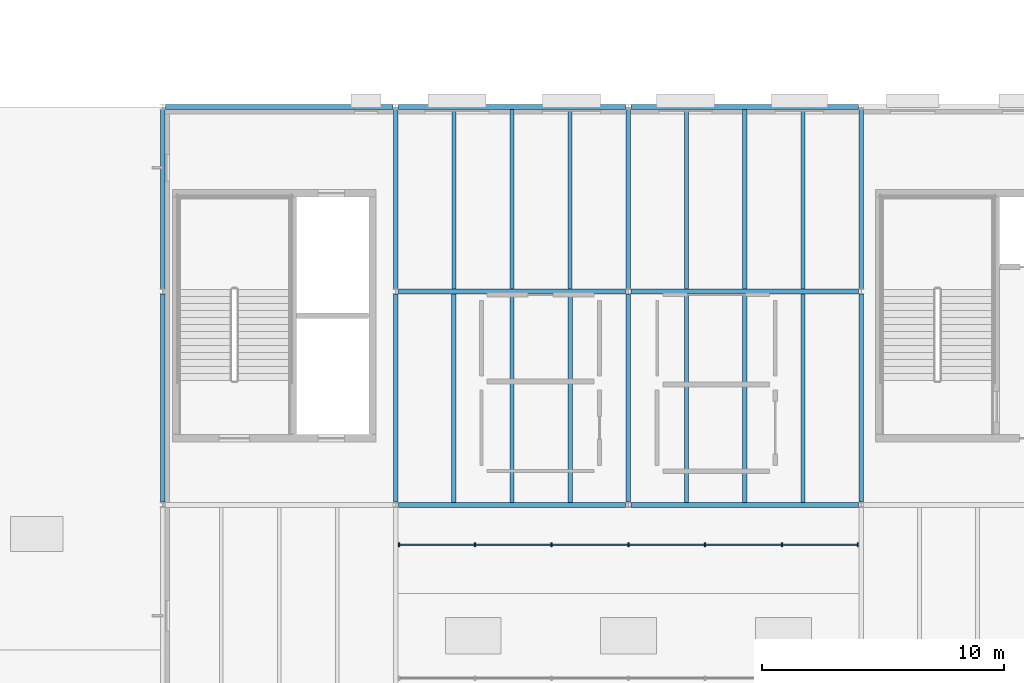
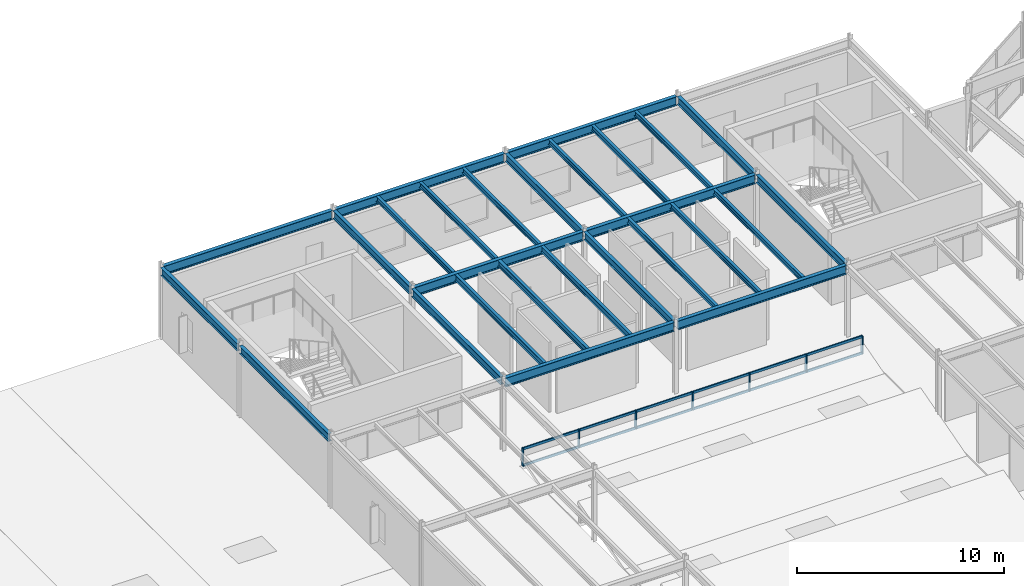
# One storey, part 12 of 50: 27 beams, 9 members, 1 element without a shape of its own.
"""IFC4 building model written with IfcOpenShell, lengths in metres."""

from ifc_helpers import new_model, si_unit, direction, frame, origin, origin_2d, place, context, subcontext, project, spatial, rectangle, i_section, extrude, material, material_profile, profile_set, type_object, element, aggregate, save


model = new_model("IFC4")

# Units and contexts
model_context = context("Model", 3, precision=1e-05, world=origin(), true_north=direction((0.0, 1.0)))
body_context = subcontext(model_context, "Body", "Model", "MODEL_VIEW")
ifc_project = project(units=[si_unit("LENGTHUNIT", "METRE"), si_unit("AREAUNIT", "SQUARE_METRE"), si_unit("VOLUMEUNIT", "CUBIC_METRE"), si_unit("PLANEANGLEUNIT", "RADIAN"), si_unit("MASSUNIT", "GRAM", prefix="KILO")], contexts=[model_context])

# Site, building, storey
site_placement = place(None, origin())
site = spatial("IfcSite", under=ifc_project, at=site_placement, CompositionType="ELEMENT")
building_placement = place(site_placement, origin())
building = spatial("IfcBuilding", under=site, at=building_placement, Name="Sarnbrook Museum", CompositionType="ELEMENT")
storey_placement = place(building_placement, frame((0.0, 0.0, 28.10009765625)))
storey = spatial("IfcBuildingStorey", under=building, at=storey_placement, Name="L05", CompositionType="ELEMENT", Elevation=28.10009765625)

# Beams
ifc_material_1 = material(Name="Structural Steel Grade 300PLUS (AS/NZS 3679.1, fy = 280 MPa for 17 < t <= 40 mm, 300 MPa for t <= 17 mm)", Category="steel")
ifc_material_profile_1 = material_profile(ifc_material_1, i_section(OverallWidth=0.18994140625, OverallDepth=0.45703125, WebThickness=0.009033203125, FlangeThickness=0.014404296875, FilletRadius=0.011474609375, at=origin_2d()), Name="460UB74.6")
ifc_profile_set_1 = profile_set([ifc_material_profile_1], Name="Structural Steel Grade 300PLUS (AS/NZS 3679.1, fy = 280 MPa for 17 < t <= 40 mm, 300 MPa for t <= 17 mm)")
beam_type_1 = type_object("IfcBeamType", Name="BM-UB460", PredefinedType="BEAM", material=ifc_profile_set_1)
beam_1_placement = place(storey_placement, frame((80.800048828125, 92.10498046875, 4.021484375), z_axis=(0.0, 1.0, 0.0), x_axis=(-1.0, 0.0, 0.0)))
element("IfcBeam", 1, at=beam_1_placement, inside=storey, type_object=beam_type_1, Name="Girder 9:L-M L05", PredefinedType="BEAM", context=body_context, shape_type="SweptSolid", body=[
    extrude(i_section(OverallWidth=0.18994140625, OverallDepth=0.45703125, WebThickness=0.009033203125, FlangeThickness=0.014404296875, FilletRadius=0.011474609375, at=origin_2d()), origin(), (0.0, 0.0, 1.0), 8.590087890625),
])
beam_2_placement = place(storey_placement, frame((80.800048828125, 100.905029296875, 4.021484375), z_axis=(0.0, 1.0, 0.0), x_axis=(-1.0, 0.0, 0.0)))
element("IfcBeam", 2, at=beam_2_placement, inside=storey, type_object=beam_type_1, Name="Girder 9:M-N L05", PredefinedType="BEAM", context=body_context, shape_type="SweptSolid", body=[
    extrude(i_section(OverallWidth=0.18994140625, OverallDepth=0.45703125, WebThickness=0.009033203125, FlangeThickness=0.014404296875, FilletRadius=0.011474609375, at=origin_2d()), origin(), (0.0, 0.0, 1.0), 7.389892578125),
])
beam_3_placement = place(storey_placement, frame((90.39990234375, 92.10498046875, 4.021484375), z_axis=(0.0, 1.0, 0.0), x_axis=(-1.0, 0.0, 0.0)))
element("IfcBeam", 3, at=beam_3_placement, inside=storey, type_object=beam_type_1, Name="Girder 10:L-M L05", PredefinedType="BEAM", context=body_context, shape_type="SweptSolid", body=[
    extrude(i_section(OverallWidth=0.18994140625, OverallDepth=0.45703125, WebThickness=0.009033203125, FlangeThickness=0.014404296875, FilletRadius=0.011474609375, at=origin_2d()), origin(), (0.0, 0.0, 1.0), 8.590087890625),
])
beam_4_placement = place(storey_placement, frame((90.39990234375, 100.905029296875, 4.021484375), z_axis=(0.0, 1.0, 0.0), x_axis=(-1.0, 0.0, 0.0)))
element("IfcBeam", 4, at=beam_4_placement, inside=storey, type_object=beam_type_1, Name="Girder 10:M-N L05", PredefinedType="BEAM", context=body_context, shape_type="SweptSolid", body=[
    extrude(i_section(OverallWidth=0.18994140625, OverallDepth=0.45703125, WebThickness=0.009033203125, FlangeThickness=0.014404296875, FilletRadius=0.011474609375, at=origin_2d()), origin(), (0.0, 0.0, 1.0), 7.389892578125),
])
beam_5_placement = place(storey_placement, frame((100.0, 92.10498046875, 4.021484375), z_axis=(0.0, 1.0, 0.0), x_axis=(-1.0, 0.0, 0.0)))
element("IfcBeam", 5, at=beam_5_placement, inside=storey, type_object=beam_type_1, Name="Girder 11:L-M L05", PredefinedType="BEAM", context=body_context, shape_type="SweptSolid", body=[
    extrude(i_section(OverallWidth=0.18994140625, OverallDepth=0.45703125, WebThickness=0.009033203125, FlangeThickness=0.014404296875, FilletRadius=0.011474609375, at=origin_2d()), origin(), (0.0, 0.0, 1.0), 8.590087890625),
])
beam_6_placement = place(storey_placement, frame((100.0, 100.905029296875, 4.021484375), z_axis=(0.0, 1.0, 0.0), x_axis=(-1.0, 0.0, 0.0)))
element("IfcBeam", 6, at=beam_6_placement, inside=storey, type_object=beam_type_1, Name="Girder 11:M-N L05", PredefinedType="BEAM", context=body_context, shape_type="SweptSolid", body=[
    extrude(i_section(OverallWidth=0.18994140625, OverallDepth=0.45703125, WebThickness=0.009033203125, FlangeThickness=0.014404296875, FilletRadius=0.011474609375, at=origin_2d()), origin(), (0.0, 0.0, 1.0), 7.389892578125),
])
beam_7_placement = place(storey_placement, frame((109.60009765625, 92.10498046875, 4.021484375), z_axis=(0.0, 1.0, 0.0), x_axis=(-1.0, 0.0, 0.0)))
element("IfcBeam", 7, at=beam_7_placement, inside=storey, type_object=beam_type_1, Name="Girder 12:L-M L05", PredefinedType="BEAM", context=body_context, shape_type="SweptSolid", body=[
    extrude(i_section(OverallWidth=0.18994140625, OverallDepth=0.45703125, WebThickness=0.009033203125, FlangeThickness=0.014404296875, FilletRadius=0.011474609375, at=origin_2d()), origin(), (0.0, 0.0, 1.0), 8.590087890625),
])
beam_8_placement = place(storey_placement, frame((109.60009765625, 100.905029296875, 4.021484375), z_axis=(0.0, 1.0, 0.0), x_axis=(-1.0, 0.0, 0.0)))
element("IfcBeam", 8, at=beam_8_placement, inside=storey, type_object=beam_type_1, Name="Girder 12:M-N L05", PredefinedType="BEAM", context=body_context, shape_type="SweptSolid", body=[
    extrude(i_section(OverallWidth=0.18994140625, OverallDepth=0.45703125, WebThickness=0.009033203125, FlangeThickness=0.014404296875, FilletRadius=0.011474609375, at=origin_2d()), origin(), (0.0, 0.0, 1.0), 7.389892578125),
])
ifc_material_profile_2 = material_profile(ifc_material_1, i_section(OverallWidth=0.208984375, OverallDepth=0.532958984375, WebThickness=0.01025390625, FlangeThickness=0.015625, FilletRadius=0.013916015625, at=origin_2d()), Name="530UB92.4")
ifc_profile_set_2 = profile_set([ifc_material_profile_2], Name="Structural Steel Grade 300PLUS (AS/NZS 3679.1, fy = 280 MPa for 17 < t <= 40 mm, 300 MPa for t <= 17 mm)")
beam_type_2 = type_object("IfcBeamType", Name="BM-UB530", PredefinedType="BEAM", material=ifc_profile_set_2)
for number, where, z_axis, x_axis, name in (
    (9, (90.50244140625, 92.0, 3.9833984375), (1.0, 0.0, 0.0), (0.0, 1.0, 0.0), "Girder L:10-11 L05"),
    (10, (100.1025390625, 92.0, 3.9833984375), (1.0, 0.0, 0.0), (0.0, 1.0, 0.0), "Girder L:11-12 L05"),
    (11, (90.50244140625, 100.800048828125, 3.9833984375), (1.0, 0.0, 0.0), (0.0, 1.0, 0.0), "Girder M:10-11 L05"),
    (12, (100.1025390625, 100.800048828125, 3.9833984375), (1.0, 0.0, 0.0), (0.0, 1.0, 0.0), "Girder M:11-12 L05"),
    (13, (80.902587890625, 108.39990234375, 3.9833984375), (1.0, 0.0, 0.0), (0.0, 1.0, 0.0), "Girder N:9-10 L05"),
    (14, (90.50244140625, 108.39990234375, 3.9833984375), (1.0, 0.0, 0.0), (0.0, 1.0, 0.0), "Girder N:10-11 L05"),
    (15, (100.1025390625, 108.39990234375, 3.9833984375), (1.0, 0.0, 0.0), (0.0, 1.0, 0.0), "Girder N:11-12 L05"),
):
    element("IfcBeam", number, at=place(storey_placement, frame(where, z_axis=z_axis, x_axis=x_axis)), inside=storey, type_object=beam_type_2, Name=name, PredefinedType="BEAM", context=body_context, shape_type="SweptSolid", body=[
        extrude(i_section(OverallWidth=0.208984375, OverallDepth=0.532958984375, WebThickness=0.01025390625, FlangeThickness=0.015625, FilletRadius=0.013916015625, at=origin_2d()), origin(), (0.0, 0.0, 1.0), 9.39501953125),
    ])

# Curtain wall, members
ifc_material_2 = material(Name="Thermally Broken Anodised Aluminium 6063-T6", Category="aluminium")
curtain_wall_type = type_object("IfcCurtainWallType", Name="CurtainWall_Sawtooth", PredefinedType="NOTDEFINED", material=ifc_material_2)
curtain_wall_placement = place(storey_placement, origin())
curtain_wall = element("IfcCurtainWall", 16, at=curtain_wall_placement, inside=storey, type_object=curtain_wall_type, Name="Atrium Sawtooth North-Light Clerestory 4", PredefinedType="NOTDEFINED")
ifc_material_profile_3 = material_profile(ifc_material_2, rectangle(XDim=0.06005859375, YDim=0.159912109375, at=origin_2d()), Name="ALU MULLION 60x160")
ifc_profile_set_3 = profile_set([ifc_material_profile_3], Name="Thermally Broken Anodised Aluminium 6063-T6")
member_type_1 = type_object("IfcMemberType", Name="CW_Mullion_150x65", PredefinedType="MULLION", material=ifc_profile_set_3)
member_1_placement = place(storey_placement, frame((90.5400390625, 90.35009765625, 0.0), z_axis=(0.0, 0.0, 1.0), x_axis=(1.0, 0.0, 0.0)))
member_1 = element("IfcMember", 17, at=member_1_placement, type_object=member_type_1, Name="Atrium Sawtooth North-Light Clerestory 4 Mullion 1", PredefinedType="MULLION", context=body_context, shape_type="SweptSolid", body=[
    extrude(rectangle(XDim=0.06005859375, YDim=0.159912109375, at=origin_2d()), origin(), (0.0, 0.0, 1.0), 1.0498046875),
])
member_2_placement = place(storey_placement, frame((93.666748046875, 90.35009765625, 0.0), z_axis=(0.0, 0.0, 1.0), x_axis=(1.0, 0.0, 0.0)))
member_2 = element("IfcMember", 18, at=member_2_placement, type_object=member_type_1, Name="Atrium Sawtooth North-Light Clerestory 4 Mullion 2", PredefinedType="MULLION", context=body_context, shape_type="SweptSolid", body=[
    extrude(rectangle(XDim=0.06005859375, YDim=0.159912109375, at=origin_2d()), origin(), (0.0, 0.0, 1.0), 1.0498046875),
])
member_3_placement = place(storey_placement, frame((96.833251953125, 90.35009765625, 0.0), z_axis=(0.0, 0.0, 1.0), x_axis=(1.0, 0.0, 0.0)))
member_3 = element("IfcMember", 19, at=member_3_placement, type_object=member_type_1, Name="Atrium Sawtooth North-Light Clerestory 4 Mullion 3", PredefinedType="MULLION", context=body_context, shape_type="SweptSolid", body=[
    extrude(rectangle(XDim=0.06005859375, YDim=0.159912109375, at=origin_2d()), origin(), (0.0, 0.0, 1.0), 1.0498046875),
])
member_4_placement = place(storey_placement, frame((100.0, 90.35009765625, 0.0), z_axis=(0.0, 0.0, 1.0), x_axis=(1.0, 0.0, 0.0)))
member_4 = element("IfcMember", 20, at=member_4_placement, type_object=member_type_1, Name="Atrium Sawtooth North-Light Clerestory 4 Mullion 4", PredefinedType="MULLION", context=body_context, shape_type="SweptSolid", body=[
    extrude(rectangle(XDim=0.06005859375, YDim=0.159912109375, at=origin_2d()), origin(), (0.0, 0.0, 1.0), 1.0498046875),
])
member_5_placement = place(storey_placement, frame((103.166748046875, 90.35009765625, 0.0), z_axis=(0.0, 0.0, 1.0), x_axis=(1.0, 0.0, 0.0)))
member_5 = element("IfcMember", 21, at=member_5_placement, type_object=member_type_1, Name="Atrium Sawtooth North-Light Clerestory 4 Mullion 5", PredefinedType="MULLION", context=body_context, shape_type="SweptSolid", body=[
    extrude(rectangle(XDim=0.06005859375, YDim=0.159912109375, at=origin_2d()), origin(), (0.0, 0.0, 1.0), 1.0498046875),
])
member_6_placement = place(storey_placement, frame((106.333251953125, 90.35009765625, 0.0), z_axis=(0.0, 0.0, 1.0), x_axis=(1.0, 0.0, 0.0)))
member_6 = element("IfcMember", 22, at=member_6_placement, type_object=member_type_1, Name="Atrium Sawtooth North-Light Clerestory 4 Mullion 6", PredefinedType="MULLION", context=body_context, shape_type="SweptSolid", body=[
    extrude(rectangle(XDim=0.06005859375, YDim=0.159912109375, at=origin_2d()), origin(), (0.0, 0.0, 1.0), 1.0498046875),
])
member_7_placement = place(storey_placement, frame((109.4599609375, 90.35009765625, 0.0), z_axis=(0.0, 0.0, 1.0), x_axis=(1.0, 0.0, 0.0)))
member_7 = element("IfcMember", 23, at=member_7_placement, type_object=member_type_1, Name="Atrium Sawtooth North-Light Clerestory 4 Mullion 7", PredefinedType="MULLION", context=body_context, shape_type="SweptSolid", body=[
    extrude(rectangle(XDim=0.06005859375, YDim=0.159912109375, at=origin_2d()), origin(), (0.0, 0.0, 1.0), 1.0498046875),
])
ifc_material_profile_4 = material_profile(ifc_material_2, rectangle(XDim=0.06494140625, YDim=0.139892578125, at=origin_2d()), Name="ALU TRANSOM 65x140")
ifc_profile_set_4 = profile_set([ifc_material_profile_4], Name="Thermally Broken Anodised Aluminium 6063-T6")
member_type_2 = type_object("IfcMemberType", Name="CW_Transom_150x65", PredefinedType="USERDEFINED", material=ifc_profile_set_4)
member_8_placement = place(storey_placement, frame((90.550048828125, 90.35009765625, 0.039794921875), z_axis=(1.0, 0.0, 0.0), x_axis=(0.0, 1.0, 0.0)))
member_8 = element("IfcMember", 24, at=member_8_placement, type_object=member_type_2, Name="Atrium Sawtooth North-Light Clerestory 4 Transom 1", ObjectType="TRANSOM", PredefinedType="USERDEFINED", context=body_context, shape_type="SweptSolid", body=[
    extrude(rectangle(XDim=0.06494140625, YDim=0.139892578125, at=origin_2d()), origin(), (0.0, 0.0, 1.0), 18.89990234375),
])
member_9_placement = place(storey_placement, frame((90.550048828125, 90.35009765625, 1.010009765625), z_axis=(1.0, 0.0, 0.0), x_axis=(0.0, 1.0, 0.0)))
member_9 = element("IfcMember", 25, at=member_9_placement, type_object=member_type_2, Name="Atrium Sawtooth North-Light Clerestory 4 Transom 2", ObjectType="TRANSOM", PredefinedType="USERDEFINED", context=body_context, shape_type="SweptSolid", body=[
    extrude(rectangle(XDim=0.06494140625, YDim=0.139892578125, at=origin_2d()), origin(), (0.0, 0.0, 1.0), 18.89990234375),
])
aggregate(curtain_wall, [member_1, member_2, member_3, member_4, member_5, member_6, member_7, member_8, member_9])

# Beams
ifc_material_profile_5 = material_profile(ifc_material_1, i_section(OverallWidth=0.1650390625, OverallDepth=0.303955078125, WebThickness=0.006103515625, FlangeThickness=0.01025390625, FilletRadius=0.011474609375, at=origin_2d()), Name="310UB40.4")
ifc_profile_set_5 = profile_set([ifc_material_profile_5], Name="Structural Steel Grade 300PLUS (AS/NZS 3679.1, fy = 280 MPa for 17 < t <= 40 mm, 300 MPa for t <= 17 mm)")
beam_type_3 = type_object("IfcBeamType", Name="JS-UB310", PredefinedType="JOIST", material=ifc_profile_set_5)
for number, where, z_axis, x_axis, name in (
    (26, (102.39990234375, 100.904541015625, 4.097900390625), (0.0, 1.0, 0.0), (-1.0, 0.0, 0.0), "Composite Floor Joist 11M-1 L05"),
    (27, (104.800048828125, 100.904541015625, 4.097900390625), (0.0, 1.0, 0.0), (-1.0, 0.0, 0.0), "Composite Floor Joist 11M-2 L05"),
    (28, (107.199951171875, 100.904541015625, 4.097900390625), (0.0, 1.0, 0.0), (-1.0, 0.0, 0.0), "Composite Floor Joist 11M-3 L05"),
):
    element("IfcBeam", number, at=place(storey_placement, frame(where, z_axis=z_axis, x_axis=x_axis)), inside=storey, type_object=beam_type_3, Name=name, PredefinedType="JOIST", context=body_context, shape_type="SweptSolid", body=[
        extrude(i_section(OverallWidth=0.1650390625, OverallDepth=0.303955078125, WebThickness=0.006103515625, FlangeThickness=0.01025390625, FilletRadius=0.011474609375, at=origin_2d()), origin(), (0.0, 0.0, 1.0), 7.390869140625),
    ])
ifc_material_profile_6 = material_profile(ifc_material_1, i_section(OverallWidth=0.166015625, OverallDepth=0.306884765625, WebThickness=0.006591796875, FlangeThickness=0.01171875, FilletRadius=0.011474609375, at=origin_2d()), Name="310UB46.2")
ifc_profile_set_6 = profile_set([ifc_material_profile_6], Name="Structural Steel Grade 300PLUS (AS/NZS 3679.1, fy = 280 MPa for 17 < t <= 40 mm, 300 MPa for t <= 17 mm)")
beam_type_4 = type_object("IfcBeamType", Name="JS-UB310H", PredefinedType="JOIST", material=ifc_profile_set_6)
for number, where, z_axis, x_axis, name in (
    (29, (92.800048828125, 100.904541015625, 4.096435546875), (0.0, 1.0, 0.0), (-1.0, 0.0, 0.0), "Composite Floor Joist 10M-1 L05"),
    (30, (95.199951171875, 100.904541015625, 4.096435546875), (0.0, 1.0, 0.0), (-1.0, 0.0, 0.0), "Composite Floor Joist 10M-2 L05"),
    (31, (97.60009765625, 100.904541015625, 4.096435546875), (0.0, 1.0, 0.0), (-1.0, 0.0, 0.0), "Composite Floor Joist 10M-3 L05"),
):
    element("IfcBeam", number, at=place(storey_placement, frame(where, z_axis=z_axis, x_axis=x_axis)), inside=storey, type_object=beam_type_4, Name=name, PredefinedType="JOIST", context=body_context, shape_type="SweptSolid", body=[
        extrude(i_section(OverallWidth=0.166015625, OverallDepth=0.306884765625, WebThickness=0.006591796875, FlangeThickness=0.01171875, FilletRadius=0.011474609375, at=origin_2d()), origin(), (0.0, 0.0, 1.0), 7.390869140625),
    ])
for number, where, z_axis, x_axis, name in (
    (32, (102.39990234375, 92.1044921875, 4.096435546875), (0.0, 1.0, 0.0), (-1.0, 0.0, 0.0), "Composite Floor Joist 11L-1 L05"),
    (33, (104.800048828125, 92.1044921875, 4.096435546875), (0.0, 1.0, 0.0), (-1.0, 0.0, 0.0), "Composite Floor Joist 11L-2 L05"),
    (34, (107.199951171875, 92.1044921875, 4.096435546875), (0.0, 1.0, 0.0), (-1.0, 0.0, 0.0), "Composite Floor Joist 11L-3 L05"),
):
    element("IfcBeam", number, at=place(storey_placement, frame(where, z_axis=z_axis, x_axis=x_axis)), inside=storey, type_object=beam_type_4, Name=name, PredefinedType="JOIST", context=body_context, shape_type="SweptSolid", body=[
        extrude(i_section(OverallWidth=0.166015625, OverallDepth=0.306884765625, WebThickness=0.006591796875, FlangeThickness=0.01171875, FilletRadius=0.011474609375, at=origin_2d()), origin(), (0.0, 0.0, 1.0), 8.591064453125),
    ])
ifc_material_profile_7 = material_profile(ifc_material_1, i_section(OverallWidth=0.1708984375, OverallDepth=0.35595703125, WebThickness=0.00732421875, FlangeThickness=0.011474609375, FilletRadius=0.011474609375, at=origin_2d()), Name="360UB50.7")
ifc_profile_set_7 = profile_set([ifc_material_profile_7], Name="Structural Steel Grade 300PLUS (AS/NZS 3679.1, fy = 280 MPa for 17 < t <= 40 mm, 300 MPa for t <= 17 mm)")
beam_type_5 = type_object("IfcBeamType", Name="JS-UB360", PredefinedType="JOIST", material=ifc_profile_set_7)
for number, where, z_axis, x_axis, name in (
    (35, (92.800048828125, 92.1044921875, 4.072021484375), (0.0, 1.0, 0.0), (-1.0, 0.0, 0.0), "Composite Floor Joist 10L-1 L05"),
    (36, (95.199951171875, 92.1044921875, 4.072021484375), (0.0, 1.0, 0.0), (-1.0, 0.0, 0.0), "Composite Floor Joist 10L-2 L05"),
    (37, (97.60009765625, 92.1044921875, 4.072021484375), (0.0, 1.0, 0.0), (-1.0, 0.0, 0.0), "Composite Floor Joist 10L-3 L05"),
):
    element("IfcBeam", number, at=place(storey_placement, frame(where, z_axis=z_axis, x_axis=x_axis)), inside=storey, type_object=beam_type_5, Name=name, PredefinedType="JOIST", context=body_context, shape_type="SweptSolid", body=[
        extrude(i_section(OverallWidth=0.1708984375, OverallDepth=0.35595703125, WebThickness=0.00732421875, FlangeThickness=0.011474609375, FilletRadius=0.011474609375, at=origin_2d()), origin(), (0.0, 0.0, 1.0), 8.591064453125),
    ])

save(model, "model.ifc")
